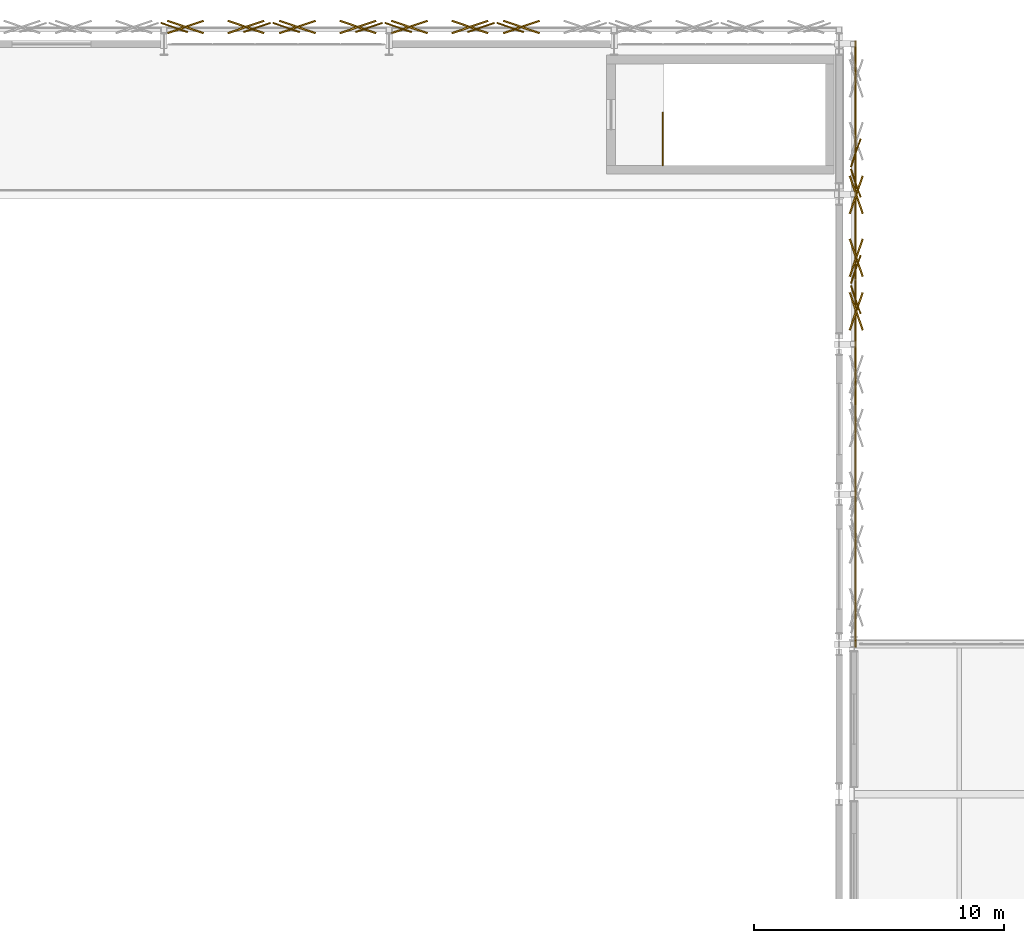
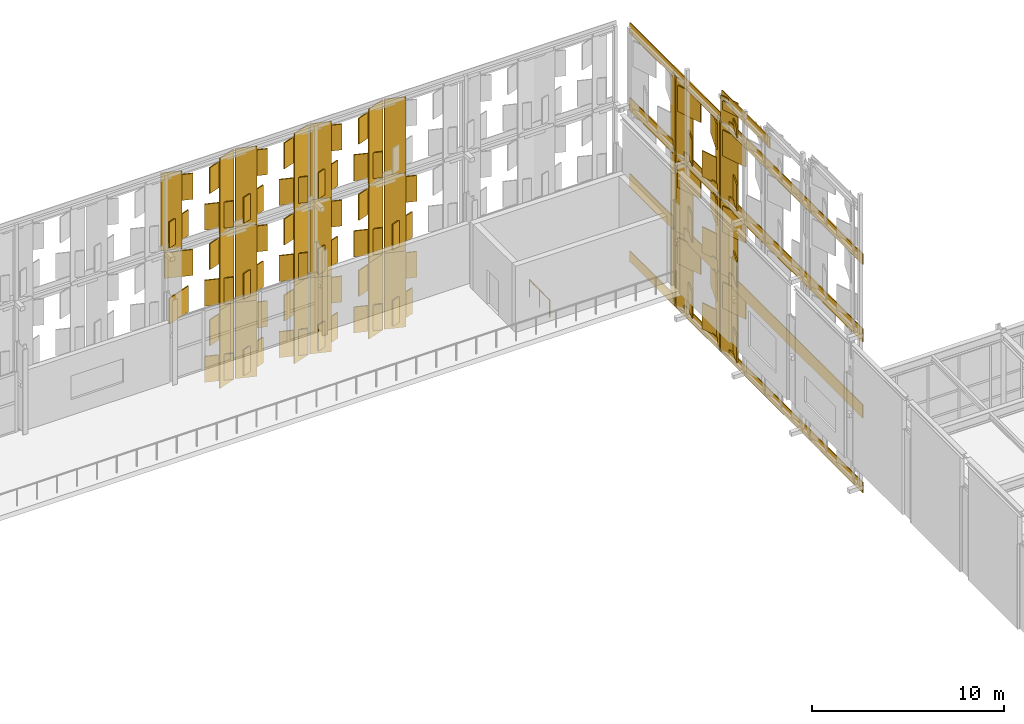
# One storey, part 202 of 210: 95 coverings, 1 railing.
"""IFC4 building model written with IfcOpenShell, lengths in metres."""

from ifc_helpers import new_model, si_unit, direction, frame, origin, origin_2d, place, context, subcontext, project, spatial, rectangle, circle, extrude, material, layer, layer_set, type_object, element, save


model = new_model("IFC4")

# Units and contexts
model_context = context("Model", 3, precision=1e-05, world=origin(), true_north=direction((0.0, 1.0)))
body_context = subcontext(model_context, "Body", "Model", "MODEL_VIEW")
ifc_project = project(units=[si_unit("LENGTHUNIT", "METRE"), si_unit("AREAUNIT", "SQUARE_METRE"), si_unit("VOLUMEUNIT", "CUBIC_METRE"), si_unit("PLANEANGLEUNIT", "RADIAN"), si_unit("MASSUNIT", "GRAM", prefix="KILO")], contexts=[model_context])

# Site, building, storey
site_placement = place(None, origin())
site = spatial("IfcSite", under=ifc_project, at=site_placement, CompositionType="ELEMENT")
building_placement = place(site_placement, origin())
building = spatial("IfcBuilding", under=site, at=building_placement, Name="Kaldris Quays Convention Centre", CompositionType="ELEMENT")
storey_placement = place(building_placement, frame((0.0, 0.0, 6.0)))
storey = spatial("IfcBuildingStorey", under=building, at=storey_placement, Name="L01", CompositionType="ELEMENT", Elevation=6.0)

# Railing
ifc_material_1 = material(Name="Steel S355J2", Category="steel")
railing_type = type_object("IfcRailingType", Name="INTERIOR GUARDRAIL GR01", PredefinedType="GUARDRAIL", material=ifc_material_1)
railing_placement = place(storey_placement, frame((138.949951171875, 135.14990234375, 0.0)))
element("IfcRailing", 1, at=railing_placement, inside=storey, type_object=railing_type, Name="L01 ST04 Top Well Guardrail 1", PredefinedType="GUARDRAIL", context=body_context, shape_type="SweptSolid", body=[
    extrude(circle(Radius=0.02392578125, at=origin_2d()), frame((0.0, 0.0, 1.076171875), z_axis=(0.0, 1.0, 0.0), x_axis=(-1.0, 0.0, 0.0)), (0.0, 0.0, 1.0), 2.10009765625),
    extrude(circle(Radius=0.02099609375, at=origin_2d()), origin(), (0.0, 0.0, 1.0), 1.052001953125),
    extrude(circle(Radius=0.02099609375, at=origin_2d()), frame((0.0, 1.050048828125, 0.0)), (0.0, 0.0, 1.0), 1.052001953125),
    extrude(circle(Radius=0.02099609375, at=origin_2d()), frame((0.0, 2.10009765625, 0.0)), (0.0, 0.0, 1.0), 1.052001953125),
])

# Coverings
ifc_material_2 = material(Name="Alabaster white star-pierced anodized aluminium panel", Category="aluminium")
ifc_layer = layer(ifc_material_2, 0.044921875)
ifc_layer_set = layer_set([ifc_layer], Name="Alabaster white star-pierced anodized aluminium panel")
covering_type = type_object("IfcCoveringType", Name="STAR PIERCED WHITE FOLDED SCREEN CL01", PredefinedType="CLADDING", material=ifc_layer_set)
covering_1_placement = place(storey_placement, frame((122.724853515625, 140.659912109375, -1.91015625), z_axis=(0.0, 0.0, 1.0), x_axis=(0.945518575599, 0.325568154457, 0.0)))
element("IfcCovering", 2, at=covering_1_placement, inside=storey, type_object=covering_type, Name="V1N Folded White Screen Stile 968", PredefinedType="CLADDING", context=body_context, shape_type="SweptSolid", body=[
    extrude(rectangle(XDim=1.136962890625, YDim=0.054931640625, at=origin_2d()), origin(), (0.0, 0.0, 1.0), 4.952880859375),
])
for number, where, z_axis, x_axis, name in (
    (3, (122.277099609375, 140.679931640625, -1.559814453125), (0.0, 0.0, 1.0), (0.945518575599, -0.325568154457, 0.0), "V1N Carved Star Corner Facet 971"),
    (4, (122.277099609375, 140.679931640625, 1.0498046875), (0.0, 0.0, 1.0), (0.945518575599, 0.325568154457, 0.0), "V1N Carved Star Corner Facet 972"),
):
    element("IfcCovering", number, at=place(storey_placement, frame(where, z_axis=z_axis, x_axis=x_axis)), inside=storey, type_object=covering_type, Name=name, PredefinedType="CLADDING", context=body_context, shape_type="SweptSolid", body=[
        extrude(rectangle(XDim=1.52294921875, YDim=0.06494140625, at=origin_2d()), origin(), (0.0, 0.0, 1.0), 1.64306640625),
    ])
covering_2_placement = place(storey_placement, frame((122.724853515625, 140.659912109375, 2.9228515625), z_axis=(0.0, 0.0, 1.0), x_axis=(0.945518575599, 0.325568154457, 0.0)))
element("IfcCovering", 5, at=covering_2_placement, inside=storey, type_object=covering_type, Name="V1N Folded White Screen Stile 974", PredefinedType="CLADDING", context=body_context, shape_type="SweptSolid", body=[
    extrude(rectangle(XDim=1.136962890625, YDim=0.054931640625, at=origin_2d()), origin(), (0.0, 0.0, 1.0), 4.9541015625),
])
for number, where, z_axis, x_axis, name in (
    (6, (119.858642578125, 140.679931640625, 3.272705078125), (0.0, 0.0, 1.0), (0.945518575599, 0.325568154457, 0.0), "V1N Carved Star Corner Facet 975"),
    (7, (119.858642578125, 140.679931640625, 5.883056640625), (0.0, 0.0, 1.0), (0.945518575599, -0.325568154457, 0.0), "V1N Carved Star Corner Facet 976"),
    (8, (122.277099609375, 140.679931640625, 3.272705078125), (0.0, 0.0, 1.0), (0.945518575599, -0.325568154457, 0.0), "V1N Carved Star Corner Facet 977"),
    (9, (122.277099609375, 140.679931640625, 5.883056640625), (0.0, 0.0, 1.0), (0.945518575599, 0.325568154457, 0.0), "V1N Carved Star Corner Facet 978"),
):
    element("IfcCovering", number, at=place(storey_placement, frame(where, z_axis=z_axis, x_axis=x_axis)), inside=storey, type_object=covering_type, Name=name, PredefinedType="CLADDING", context=body_context, shape_type="SweptSolid", body=[
        extrude(rectangle(XDim=1.52294921875, YDim=0.06494140625, at=origin_2d()), origin(), (0.0, 0.0, 1.0), 1.64404296875),
    ])
for number, where, z_axis, x_axis, name in (
    (10, (119.410888671875, 140.659912109375, 7.7568359375), (0.0, 0.0, 1.0), (0.945518575599, -0.325568154457, 0.0), "V1N Folded White Screen Stile 979"),
    (11, (122.724853515625, 140.659912109375, 7.7568359375), (0.0, 0.0, 1.0), (0.945518575599, 0.325568154457, 0.0), "V1N Folded White Screen Stile 980"),
):
    element("IfcCovering", number, at=place(storey_placement, frame(where, z_axis=z_axis, x_axis=x_axis)), inside=storey, type_object=covering_type, Name=name, PredefinedType="CLADDING", context=body_context, shape_type="SweptSolid", body=[
        extrude(rectangle(XDim=1.136962890625, YDim=0.054931640625, at=origin_2d()), origin(), (0.0, 0.0, 1.0), 4.952880859375),
    ])
for number, where, z_axis, x_axis, name in (
    (12, (119.858642578125, 140.679931640625, 8.107177734375), (0.0, 0.0, 1.0), (0.945518575599, 0.325568154457, 0.0), "V1N Carved Star Corner Facet 981"),
    (13, (119.858642578125, 140.679931640625, 10.716796875), (0.0, 0.0, 1.0), (0.945518575599, -0.325568154457, 0.0), "V1N Carved Star Corner Facet 982"),
    (14, (122.277099609375, 140.679931640625, 8.107177734375), (0.0, 0.0, 1.0), (0.945518575599, -0.325568154457, 0.0), "V1N Carved Star Corner Facet 983"),
    (15, (122.277099609375, 140.679931640625, 10.716796875), (0.0, 0.0, 1.0), (0.945518575599, 0.325568154457, 0.0), "V1N Carved Star Corner Facet 984"),
):
    element("IfcCovering", number, at=place(storey_placement, frame(where, z_axis=z_axis, x_axis=x_axis)), inside=storey, type_object=covering_type, Name=name, PredefinedType="CLADDING", context=body_context, shape_type="SweptSolid", body=[
        extrude(rectangle(XDim=1.52294921875, YDim=0.06494140625, at=origin_2d()), origin(), (0.0, 0.0, 1.0), 1.64306640625),
    ])
for number, where, z_axis, x_axis, name in (
    (16, (123.889404296875, 140.659912109375, -1.91015625), (0.0, 0.0, 1.0), (0.945518575599, -0.325568154457, 0.0), "V1N Folded White Screen Stile 985"),
    (17, (127.20361328125, 140.659912109375, -1.91015625), (0.0, 0.0, 1.0), (0.945518575599, 0.325568154457, 0.0), "V1N Folded White Screen Stile 986"),
):
    element("IfcCovering", number, at=place(storey_placement, frame(where, z_axis=z_axis, x_axis=x_axis)), inside=storey, type_object=covering_type, Name=name, PredefinedType="CLADDING", context=body_context, shape_type="SweptSolid", body=[
        extrude(rectangle(XDim=1.136962890625, YDim=0.054931640625, at=origin_2d()), origin(), (0.0, 0.0, 1.0), 4.952880859375),
    ])
for number, where, z_axis, x_axis, name in (
    (18, (124.337158203125, 140.679931640625, -1.559814453125), (0.0, 0.0, 1.0), (0.945518575599, 0.325568154457, 0.0), "V1N Carved Star Corner Facet 987"),
    (19, (124.337158203125, 140.679931640625, 1.0498046875), (0.0, 0.0, 1.0), (0.945518575599, -0.325568154457, 0.0), "V1N Carved Star Corner Facet 988"),
    (20, (126.755615234375, 140.679931640625, -1.559814453125), (0.0, 0.0, 1.0), (0.945518575599, -0.325568154457, 0.0), "V1N Carved Star Corner Facet 989"),
    (21, (126.755615234375, 140.679931640625, 1.0498046875), (0.0, 0.0, 1.0), (0.945518575599, 0.325568154457, 0.0), "V1N Carved Star Corner Facet 990"),
):
    element("IfcCovering", number, at=place(storey_placement, frame(where, z_axis=z_axis, x_axis=x_axis)), inside=storey, type_object=covering_type, Name=name, PredefinedType="CLADDING", context=body_context, shape_type="SweptSolid", body=[
        extrude(rectangle(XDim=1.52294921875, YDim=0.06494140625, at=origin_2d()), origin(), (0.0, 0.0, 1.0), 1.64306640625),
    ])
for number, where, z_axis, x_axis, name in (
    (22, (123.889404296875, 140.659912109375, 2.9228515625), (0.0, 0.0, 1.0), (0.945518575599, -0.325568154457, 0.0), "V1N Folded White Screen Stile 991"),
    (23, (127.20361328125, 140.659912109375, 2.9228515625), (0.0, 0.0, 1.0), (0.945518575599, 0.325568154457, 0.0), "V1N Folded White Screen Stile 992"),
):
    element("IfcCovering", number, at=place(storey_placement, frame(where, z_axis=z_axis, x_axis=x_axis)), inside=storey, type_object=covering_type, Name=name, PredefinedType="CLADDING", context=body_context, shape_type="SweptSolid", body=[
        extrude(rectangle(XDim=1.136962890625, YDim=0.054931640625, at=origin_2d()), origin(), (0.0, 0.0, 1.0), 4.9541015625),
    ])
for number, where, z_axis, x_axis, name in (
    (24, (124.337158203125, 140.679931640625, 3.272705078125), (0.0, 0.0, 1.0), (0.945518575599, 0.325568154457, 0.0), "V1N Carved Star Corner Facet 993"),
    (25, (124.337158203125, 140.679931640625, 5.883056640625), (0.0, 0.0, 1.0), (0.945518575599, -0.325568154457, 0.0), "V1N Carved Star Corner Facet 994"),
    (26, (126.755615234375, 140.679931640625, 3.272705078125), (0.0, 0.0, 1.0), (0.945518575599, -0.325568154457, 0.0), "V1N Carved Star Corner Facet 995"),
    (27, (126.755615234375, 140.679931640625, 5.883056640625), (0.0, 0.0, 1.0), (0.945518575599, 0.325568154457, 0.0), "V1N Carved Star Corner Facet 996"),
):
    element("IfcCovering", number, at=place(storey_placement, frame(where, z_axis=z_axis, x_axis=x_axis)), inside=storey, type_object=covering_type, Name=name, PredefinedType="CLADDING", context=body_context, shape_type="SweptSolid", body=[
        extrude(rectangle(XDim=1.52294921875, YDim=0.06494140625, at=origin_2d()), origin(), (0.0, 0.0, 1.0), 1.64404296875),
    ])
for number, where, z_axis, x_axis, name in (
    (28, (123.889404296875, 140.659912109375, 7.7568359375), (0.0, 0.0, 1.0), (0.945518575599, -0.325568154457, 0.0), "V1N Folded White Screen Stile 997"),
    (29, (127.20361328125, 140.659912109375, 7.7568359375), (0.0, 0.0, 1.0), (0.945518575599, 0.325568154457, 0.0), "V1N Folded White Screen Stile 998"),
):
    element("IfcCovering", number, at=place(storey_placement, frame(where, z_axis=z_axis, x_axis=x_axis)), inside=storey, type_object=covering_type, Name=name, PredefinedType="CLADDING", context=body_context, shape_type="SweptSolid", body=[
        extrude(rectangle(XDim=1.136962890625, YDim=0.054931640625, at=origin_2d()), origin(), (0.0, 0.0, 1.0), 4.952880859375),
    ])
for number, where, z_axis, x_axis, name in (
    (30, (124.337158203125, 140.679931640625, 8.107177734375), (0.0, 0.0, 1.0), (0.945518575599, 0.325568154457, 0.0), "V1N Carved Star Corner Facet 999"),
    (31, (124.337158203125, 140.679931640625, 10.716796875), (0.0, 0.0, 1.0), (0.945518575599, -0.325568154457, 0.0), "V1N Carved Star Corner Facet 1000"),
    (32, (126.755615234375, 140.679931640625, 8.107177734375), (0.0, 0.0, 1.0), (0.945518575599, -0.325568154457, 0.0), "V1N Carved Star Corner Facet 1001"),
    (33, (126.755615234375, 140.679931640625, 10.716796875), (0.0, 0.0, 1.0), (0.945518575599, 0.325568154457, 0.0), "V1N Carved Star Corner Facet 1002"),
):
    element("IfcCovering", number, at=place(storey_placement, frame(where, z_axis=z_axis, x_axis=x_axis)), inside=storey, type_object=covering_type, Name=name, PredefinedType="CLADDING", context=body_context, shape_type="SweptSolid", body=[
        extrude(rectangle(XDim=1.52294921875, YDim=0.06494140625, at=origin_2d()), origin(), (0.0, 0.0, 1.0), 1.64306640625),
    ])
for number, where, z_axis, x_axis, name in (
    (34, (128.367919921875, 140.659912109375, -1.91015625), (0.0, 0.0, 1.0), (0.945518575599, -0.325568154457, 0.0), "V1N Folded White Screen Stile 1003"),
    (35, (131.68212890625, 140.659912109375, -1.91015625), (0.0, 0.0, 1.0), (0.945518575599, 0.325568154457, 0.0), "V1N Folded White Screen Stile 1004"),
):
    element("IfcCovering", number, at=place(storey_placement, frame(where, z_axis=z_axis, x_axis=x_axis)), inside=storey, type_object=covering_type, Name=name, PredefinedType="CLADDING", context=body_context, shape_type="SweptSolid", body=[
        extrude(rectangle(XDim=1.136962890625, YDim=0.054931640625, at=origin_2d()), origin(), (0.0, 0.0, 1.0), 4.952880859375),
    ])
for number, where, z_axis, x_axis, name in (
    (36, (128.81591796875, 140.679931640625, -1.559814453125), (0.0, 0.0, 1.0), (0.945518575599, 0.325568154457, 0.0), "V1N Carved Star Corner Facet 1005"),
    (37, (128.81591796875, 140.679931640625, 1.0498046875), (0.0, 0.0, 1.0), (0.945518575599, -0.325568154457, 0.0), "V1N Carved Star Corner Facet 1006"),
    (38, (131.234130859375, 140.679931640625, -1.559814453125), (0.0, 0.0, 1.0), (0.945518575599, -0.325568154457, 0.0), "V1N Carved Star Corner Facet 1007"),
    (39, (131.234130859375, 140.679931640625, 1.0498046875), (0.0, 0.0, 1.0), (0.945518575599, 0.325568154457, 0.0), "V1N Carved Star Corner Facet 1008"),
):
    element("IfcCovering", number, at=place(storey_placement, frame(where, z_axis=z_axis, x_axis=x_axis)), inside=storey, type_object=covering_type, Name=name, PredefinedType="CLADDING", context=body_context, shape_type="SweptSolid", body=[
        extrude(rectangle(XDim=1.52294921875, YDim=0.06494140625, at=origin_2d()), origin(), (0.0, 0.0, 1.0), 1.64306640625),
    ])
for number, where, z_axis, x_axis, name in (
    (40, (128.367919921875, 140.659912109375, 2.9228515625), (0.0, 0.0, 1.0), (0.945518575599, -0.325568154457, 0.0), "V1N Folded White Screen Stile 1009"),
    (41, (131.68212890625, 140.659912109375, 2.9228515625), (0.0, 0.0, 1.0), (0.945518575599, 0.325568154457, 0.0), "V1N Folded White Screen Stile 1010"),
):
    element("IfcCovering", number, at=place(storey_placement, frame(where, z_axis=z_axis, x_axis=x_axis)), inside=storey, type_object=covering_type, Name=name, PredefinedType="CLADDING", context=body_context, shape_type="SweptSolid", body=[
        extrude(rectangle(XDim=1.136962890625, YDim=0.054931640625, at=origin_2d()), origin(), (0.0, 0.0, 1.0), 4.9541015625),
    ])
for number, where, z_axis, x_axis, name in (
    (42, (128.81591796875, 140.679931640625, 3.272705078125), (0.0, 0.0, 1.0), (0.945518575599, 0.325568154457, 0.0), "V1N Carved Star Corner Facet 1011"),
    (43, (128.81591796875, 140.679931640625, 5.883056640625), (0.0, 0.0, 1.0), (0.945518575599, -0.325568154457, 0.0), "V1N Carved Star Corner Facet 1012"),
    (44, (131.234130859375, 140.679931640625, 3.272705078125), (0.0, 0.0, 1.0), (0.945518575599, -0.325568154457, 0.0), "V1N Carved Star Corner Facet 1013"),
    (45, (131.234130859375, 140.679931640625, 5.883056640625), (0.0, 0.0, 1.0), (0.945518575599, 0.325568154457, 0.0), "V1N Carved Star Corner Facet 1014"),
):
    element("IfcCovering", number, at=place(storey_placement, frame(where, z_axis=z_axis, x_axis=x_axis)), inside=storey, type_object=covering_type, Name=name, PredefinedType="CLADDING", context=body_context, shape_type="SweptSolid", body=[
        extrude(rectangle(XDim=1.52294921875, YDim=0.06494140625, at=origin_2d()), origin(), (0.0, 0.0, 1.0), 1.64404296875),
    ])
for number, where, z_axis, x_axis, name in (
    (46, (128.367919921875, 140.659912109375, 7.7568359375), (0.0, 0.0, 1.0), (0.945518575599, -0.325568154457, 0.0), "V1N Folded White Screen Stile 1015"),
    (47, (131.68212890625, 140.659912109375, 7.7568359375), (0.0, 0.0, 1.0), (0.945518575599, 0.325568154457, 0.0), "V1N Folded White Screen Stile 1016"),
):
    element("IfcCovering", number, at=place(storey_placement, frame(where, z_axis=z_axis, x_axis=x_axis)), inside=storey, type_object=covering_type, Name=name, PredefinedType="CLADDING", context=body_context, shape_type="SweptSolid", body=[
        extrude(rectangle(XDim=1.136962890625, YDim=0.054931640625, at=origin_2d()), origin(), (0.0, 0.0, 1.0), 4.952880859375),
    ])
for number, where, z_axis, x_axis, name in (
    (48, (128.81591796875, 140.679931640625, 8.107177734375), (0.0, 0.0, 1.0), (0.945518575599, 0.325568154457, 0.0), "V1N Carved Star Corner Facet 1017"),
    (49, (128.81591796875, 140.679931640625, 10.716796875), (0.0, 0.0, 1.0), (0.945518575599, -0.325568154457, 0.0), "V1N Carved Star Corner Facet 1018"),
    (50, (131.234130859375, 140.679931640625, 8.107177734375), (0.0, 0.0, 1.0), (0.945518575599, -0.325568154457, 0.0), "V1N Carved Star Corner Facet 1019"),
    (51, (131.234130859375, 140.679931640625, 10.716796875), (0.0, 0.0, 1.0), (0.945518575599, 0.325568154457, 0.0), "V1N Carved Star Corner Facet 1020"),
):
    element("IfcCovering", number, at=place(storey_placement, frame(where, z_axis=z_axis, x_axis=x_axis)), inside=storey, type_object=covering_type, Name=name, PredefinedType="CLADDING", context=body_context, shape_type="SweptSolid", body=[
        extrude(rectangle(XDim=1.52294921875, YDim=0.06494140625, at=origin_2d()), origin(), (0.0, 0.0, 1.0), 1.64306640625),
    ])
covering_3_placement = place(storey_placement, frame((132.846435546875, 140.659912109375, -1.91015625), z_axis=(0.0, 0.0, 1.0), x_axis=(0.945518575599, -0.325568154457, 0.0)))
element("IfcCovering", 52, at=covering_3_placement, inside=storey, type_object=covering_type, Name="V1N Folded White Screen Stile 1021", PredefinedType="CLADDING", context=body_context, shape_type="SweptSolid", body=[
    extrude(rectangle(XDim=1.136962890625, YDim=0.054931640625, at=origin_2d()), origin(), (0.0, 0.0, 1.0), 4.952880859375),
])
for number, where, z_axis, x_axis, name in (
    (53, (133.29443359375, 140.679931640625, -1.559814453125), (0.0, 0.0, 1.0), (0.945518575599, 0.325568154457, 0.0), "V1N Carved Star Corner Facet 1023"),
    (54, (133.29443359375, 140.679931640625, 1.0498046875), (0.0, 0.0, 1.0), (0.945518575599, -0.325568154457, 0.0), "V1N Carved Star Corner Facet 1024"),
):
    element("IfcCovering", number, at=place(storey_placement, frame(where, z_axis=z_axis, x_axis=x_axis)), inside=storey, type_object=covering_type, Name=name, PredefinedType="CLADDING", context=body_context, shape_type="SweptSolid", body=[
        extrude(rectangle(XDim=1.52294921875, YDim=0.06494140625, at=origin_2d()), origin(), (0.0, 0.0, 1.0), 1.64306640625),
    ])
covering_4_placement = place(storey_placement, frame((132.846435546875, 140.659912109375, 2.9228515625), z_axis=(0.0, 0.0, 1.0), x_axis=(0.945518575599, -0.325568154457, 0.0)))
element("IfcCovering", 55, at=covering_4_placement, inside=storey, type_object=covering_type, Name="V1N Folded White Screen Stile 1027", PredefinedType="CLADDING", context=body_context, shape_type="SweptSolid", body=[
    extrude(rectangle(XDim=1.136962890625, YDim=0.054931640625, at=origin_2d()), origin(), (0.0, 0.0, 1.0), 4.9541015625),
])
for number, where, z_axis, x_axis, name in (
    (56, (133.29443359375, 140.679931640625, 3.272705078125), (0.0, 0.0, 1.0), (0.945518575599, 0.325568154457, 0.0), "V1N Carved Star Corner Facet 1029"),
    (57, (133.29443359375, 140.679931640625, 5.883056640625), (0.0, 0.0, 1.0), (0.945518575599, -0.325568154457, 0.0), "V1N Carved Star Corner Facet 1030"),
):
    element("IfcCovering", number, at=place(storey_placement, frame(where, z_axis=z_axis, x_axis=x_axis)), inside=storey, type_object=covering_type, Name=name, PredefinedType="CLADDING", context=body_context, shape_type="SweptSolid", body=[
        extrude(rectangle(XDim=1.52294921875, YDim=0.06494140625, at=origin_2d()), origin(), (0.0, 0.0, 1.0), 1.64404296875),
    ])
covering_5_placement = place(storey_placement, frame((132.846435546875, 140.659912109375, 7.7568359375), z_axis=(0.0, 0.0, 1.0), x_axis=(0.945518575599, -0.325568154457, 0.0)))
element("IfcCovering", 58, at=covering_5_placement, inside=storey, type_object=covering_type, Name="V1N Folded White Screen Stile 1033", PredefinedType="CLADDING", context=body_context, shape_type="SweptSolid", body=[
    extrude(rectangle(XDim=1.136962890625, YDim=0.054931640625, at=origin_2d()), origin(), (0.0, 0.0, 1.0), 4.952880859375),
])
covering_6_placement = place(storey_placement, frame((146.64990234375, 128.0, -2.18994140625), z_axis=(0.0, 0.0, 1.0), x_axis=(0.0, 1.0, 0.0)))
element("IfcCovering", 59, at=covering_6_placement, inside=storey, type_object=covering_type, Name="V1E White Screen Folded Band 1752", PredefinedType="CLADDING", context=body_context, shape_type="SweptSolid", body=[
    extrude(rectangle(XDim=24.239990234375, YDim=0.054931640625, at=origin_2d()), origin(), (0.0, 0.0, 1.0), 0.679931640625),
])
for number, where, z_axis, x_axis, name in (
    (60, (146.64990234375, 128.0, 2.56298828125), (0.0, 0.0, 1.0), (0.0, 1.0, 0.0), "V1E White Screen Folded Band 1753"),
    (61, (146.64990234375, 128.0, 7.39697265625), (0.0, 0.0, 1.0), (0.0, 1.0, 0.0), "V1E White Screen Folded Band 1754"),
):
    element("IfcCovering", number, at=place(storey_placement, frame(where, z_axis=z_axis, x_axis=x_axis)), inside=storey, type_object=covering_type, Name=name, PredefinedType="CLADDING", context=body_context, shape_type="SweptSolid", body=[
        extrude(rectangle(XDim=24.239990234375, YDim=0.054931640625, at=origin_2d()), origin(), (0.0, 0.0, 1.0), 0.840087890625),
    ])
covering_7_placement = place(storey_placement, frame((146.64990234375, 128.0, 12.31005859375), z_axis=(0.0, 0.0, 1.0), x_axis=(0.0, 1.0, 0.0)))
element("IfcCovering", 62, at=covering_7_placement, inside=storey, type_object=covering_type, Name="V1E White Screen Folded Band 1755", PredefinedType="CLADDING", context=body_context, shape_type="SweptSolid", body=[
    extrude(rectangle(XDim=24.239990234375, YDim=0.054931640625, at=origin_2d()), origin(), (0.0, 0.0, 1.0), 0.679931640625),
])
covering_8_placement = place(storey_placement, frame((146.64990234375, 128.050048828125, 13.8408203125), z_axis=(0.0, 0.0, 1.0), x_axis=(0.0, 1.0, 0.0)))
element("IfcCovering", 63, at=covering_8_placement, inside=storey, type_object=covering_type, Name="V1E Gable White Screen Cap Band 1806", PredefinedType="CLADDING", context=body_context, shape_type="SweptSolid", body=[
    extrude(rectangle(XDim=4.9599609375, YDim=0.054931640625, at=origin_2d()), origin(), (0.0, 0.0, 1.0), 0.679931640625),
])
covering_9_placement = place(storey_placement, frame((146.659912109375, 129.774169921875, -1.91015625), z_axis=(0.0, 0.0, 1.0), x_axis=(-0.325568154457, 0.945518575599, 0.0)))
element("IfcCovering", 64, at=covering_9_placement, inside=storey, type_object=covering_type, Name="V1E Folded White Screen Stile 1808", PredefinedType="CLADDING", context=body_context, shape_type="SweptSolid", body=[
    extrude(rectangle(XDim=1.18310546875, YDim=0.054931640625, at=origin_2d()), origin(), (0.0, 0.0, 1.0), 4.952880859375),
])
for number, where, z_axis, x_axis, name in (
    (65, (146.679931640625, 129.30810546875, -1.559814453125), (0.0, 0.0, 1.0), (0.325568154457, 0.945518575599, 0.0), "V1E Carved Star Corner Facet 1811"),
    (66, (146.679931640625, 129.30810546875, 1.0498046875), (0.0, 0.0, 1.0), (-0.325568154457, 0.945518575599, 0.0), "V1E Carved Star Corner Facet 1812"),
):
    element("IfcCovering", number, at=place(storey_placement, frame(where, z_axis=z_axis, x_axis=x_axis)), inside=storey, type_object=covering_type, Name=name, PredefinedType="CLADDING", context=body_context, shape_type="SweptSolid", body=[
        extrude(rectangle(XDim=1.583984375, YDim=0.06494140625, at=origin_2d()), origin(), (0.0, 0.0, 1.0), 1.64306640625),
    ])
covering_10_placement = place(storey_placement, frame((146.659912109375, 129.774169921875, 2.9228515625), z_axis=(0.0, 0.0, 1.0), x_axis=(-0.325568154457, 0.945518575599, 0.0)))
element("IfcCovering", 67, at=covering_10_placement, inside=storey, type_object=covering_type, Name="V1E Folded White Screen Stile 1814", PredefinedType="CLADDING", context=body_context, shape_type="SweptSolid", body=[
    extrude(rectangle(XDim=1.18310546875, YDim=0.054931640625, at=origin_2d()), origin(), (0.0, 0.0, 1.0), 4.9541015625),
])
for number, where, z_axis, x_axis, name in (
    (68, (146.679931640625, 129.30810546875, 3.272705078125), (0.0, 0.0, 1.0), (0.325568154457, 0.945518575599, 0.0), "V1E Carved Star Corner Facet 1817"),
    (69, (146.679931640625, 129.30810546875, 5.883056640625), (0.0, 0.0, 1.0), (-0.325568154457, 0.945518575599, 0.0), "V1E Carved Star Corner Facet 1818"),
):
    element("IfcCovering", number, at=place(storey_placement, frame(where, z_axis=z_axis, x_axis=x_axis)), inside=storey, type_object=covering_type, Name=name, PredefinedType="CLADDING", context=body_context, shape_type="SweptSolid", body=[
        extrude(rectangle(XDim=1.583984375, YDim=0.06494140625, at=origin_2d()), origin(), (0.0, 0.0, 1.0), 1.64404296875),
    ])
covering_11_placement = place(storey_placement, frame((146.659912109375, 129.774169921875, 7.7568359375), z_axis=(0.0, 0.0, 1.0), x_axis=(-0.325568154457, 0.945518575599, 0.0)))
element("IfcCovering", 70, at=covering_11_placement, inside=storey, type_object=covering_type, Name="V1E Folded White Screen Stile 1820", PredefinedType="CLADDING", context=body_context, shape_type="SweptSolid", body=[
    extrude(rectangle(XDim=1.18310546875, YDim=0.054931640625, at=origin_2d()), origin(), (0.0, 0.0, 1.0), 4.952880859375),
])
for number, where, z_axis, x_axis, name in (
    (71, (146.679931640625, 129.30810546875, 8.107177734375), (0.0, 0.0, 1.0), (0.325568154457, 0.945518575599, 0.0), "V1E Carved Star Corner Facet 1823"),
    (72, (146.679931640625, 129.30810546875, 10.716796875), (0.0, 0.0, 1.0), (-0.325568154457, 0.945518575599, 0.0), "V1E Carved Star Corner Facet 1824"),
):
    element("IfcCovering", number, at=place(storey_placement, frame(where, z_axis=z_axis, x_axis=x_axis)), inside=storey, type_object=covering_type, Name=name, PredefinedType="CLADDING", context=body_context, shape_type="SweptSolid", body=[
        extrude(rectangle(XDim=1.583984375, YDim=0.06494140625, at=origin_2d()), origin(), (0.0, 0.0, 1.0), 1.64306640625),
    ])
covering_12_placement = place(storey_placement, frame((146.659912109375, 129.774169921875, 12.58984375), z_axis=(0.0, 0.0, 1.0), x_axis=(-0.325568154457, 0.945518575599, 0.0)))
element("IfcCovering", 73, at=covering_12_placement, inside=storey, type_object=covering_type, Name="V1E Folded White Screen Stile 1826", PredefinedType="CLADDING", context=body_context, shape_type="SweptSolid", body=[
    extrude(rectangle(XDim=1.18310546875, YDim=0.054931640625, at=origin_2d()), origin(), (0.0, 0.0, 1.0), 1.801025390625),
])
for number, where, z_axis, x_axis, name in (
    (74, (146.679931640625, 129.30810546875, 12.75048828125), (0.0, 0.0, 1.0), (0.325568154457, 0.945518575599, 0.0), "V1E Carved Star Corner Facet 1829"),
    (75, (146.679931640625, 129.30810546875, 13.658203125), (0.0, 0.0, 1.0), (-0.325568154457, 0.945518575599, 0.0), "V1E Carved Star Corner Facet 1830"),
):
    element("IfcCovering", number, at=place(storey_placement, frame(where, z_axis=z_axis, x_axis=x_axis)), inside=storey, type_object=covering_type, Name=name, PredefinedType="CLADDING", context=body_context, shape_type="SweptSolid", body=[
        extrude(rectangle(XDim=1.583984375, YDim=0.06494140625, at=origin_2d()), origin(), (0.0, 0.0, 1.0), 0.572021484375),
    ])
for number, where, z_axis, x_axis, name in (
    (76, (146.659912109375, 130.98583984375, -1.91015625), (0.0, 0.0, 1.0), (0.325568154457, 0.945518575599, 0.0), "V1E Folded White Screen Stile 1831"),
    (77, (146.659912109375, 134.43408203125, -1.91015625), (0.0, 0.0, 1.0), (-0.325568154457, 0.945518575599, 0.0), "V1E Folded White Screen Stile 1832"),
):
    element("IfcCovering", number, at=place(storey_placement, frame(where, z_axis=z_axis, x_axis=x_axis)), inside=storey, type_object=covering_type, Name=name, PredefinedType="CLADDING", context=body_context, shape_type="SweptSolid", body=[
        extrude(rectangle(XDim=1.18310546875, YDim=0.054931640625, at=origin_2d()), origin(), (0.0, 0.0, 1.0), 4.952880859375),
    ])
for number, where, z_axis, x_axis, name in (
    (78, (146.679931640625, 131.451904296875, -1.559814453125), (0.0, 0.0, 1.0), (-0.325568154457, 0.945518575599, 0.0), "V1E Carved Star Corner Facet 1833"),
    (79, (146.679931640625, 131.451904296875, 1.0498046875), (0.0, 0.0, 1.0), (0.325568154457, 0.945518575599, 0.0), "V1E Carved Star Corner Facet 1834"),
    (80, (146.679931640625, 133.96826171875, -1.559814453125), (0.0, 0.0, 1.0), (0.325568154457, 0.945518575599, 0.0), "V1E Carved Star Corner Facet 1835"),
    (81, (146.679931640625, 133.96826171875, 1.0498046875), (0.0, 0.0, 1.0), (-0.325568154457, 0.945518575599, 0.0), "V1E Carved Star Corner Facet 1836"),
):
    element("IfcCovering", number, at=place(storey_placement, frame(where, z_axis=z_axis, x_axis=x_axis)), inside=storey, type_object=covering_type, Name=name, PredefinedType="CLADDING", context=body_context, shape_type="SweptSolid", body=[
        extrude(rectangle(XDim=1.583984375, YDim=0.06494140625, at=origin_2d()), origin(), (0.0, 0.0, 1.0), 1.64306640625),
    ])
for number, where, z_axis, x_axis, name in (
    (82, (146.659912109375, 130.98583984375, 2.9228515625), (0.0, 0.0, 1.0), (0.325568154457, 0.945518575599, 0.0), "V1E Folded White Screen Stile 1837"),
    (83, (146.659912109375, 134.43408203125, 2.9228515625), (0.0, 0.0, 1.0), (-0.325568154457, 0.945518575599, 0.0), "V1E Folded White Screen Stile 1838"),
):
    element("IfcCovering", number, at=place(storey_placement, frame(where, z_axis=z_axis, x_axis=x_axis)), inside=storey, type_object=covering_type, Name=name, PredefinedType="CLADDING", context=body_context, shape_type="SweptSolid", body=[
        extrude(rectangle(XDim=1.18310546875, YDim=0.054931640625, at=origin_2d()), origin(), (0.0, 0.0, 1.0), 4.9541015625),
    ])
for number, where, z_axis, x_axis, name in (
    (84, (146.679931640625, 131.451904296875, 3.272705078125), (0.0, 0.0, 1.0), (-0.325568154457, 0.945518575599, 0.0), "V1E Carved Star Corner Facet 1839"),
    (85, (146.679931640625, 131.451904296875, 5.883056640625), (0.0, 0.0, 1.0), (0.325568154457, 0.945518575599, 0.0), "V1E Carved Star Corner Facet 1840"),
    (86, (146.679931640625, 133.96826171875, 3.272705078125), (0.0, 0.0, 1.0), (0.325568154457, 0.945518575599, 0.0), "V1E Carved Star Corner Facet 1841"),
    (87, (146.679931640625, 133.96826171875, 5.883056640625), (0.0, 0.0, 1.0), (-0.325568154457, 0.945518575599, 0.0), "V1E Carved Star Corner Facet 1842"),
):
    element("IfcCovering", number, at=place(storey_placement, frame(where, z_axis=z_axis, x_axis=x_axis)), inside=storey, type_object=covering_type, Name=name, PredefinedType="CLADDING", context=body_context, shape_type="SweptSolid", body=[
        extrude(rectangle(XDim=1.583984375, YDim=0.06494140625, at=origin_2d()), origin(), (0.0, 0.0, 1.0), 1.64404296875),
    ])
for number, where, z_axis, x_axis, name in (
    (88, (146.659912109375, 130.98583984375, 7.7568359375), (0.0, 0.0, 1.0), (0.325568154457, 0.945518575599, 0.0), "V1E Folded White Screen Stile 1843"),
    (89, (146.659912109375, 134.43408203125, 7.7568359375), (0.0, 0.0, 1.0), (-0.325568154457, 0.945518575599, 0.0), "V1E Folded White Screen Stile 1844"),
):
    element("IfcCovering", number, at=place(storey_placement, frame(where, z_axis=z_axis, x_axis=x_axis)), inside=storey, type_object=covering_type, Name=name, PredefinedType="CLADDING", context=body_context, shape_type="SweptSolid", body=[
        extrude(rectangle(XDim=1.18310546875, YDim=0.054931640625, at=origin_2d()), origin(), (0.0, 0.0, 1.0), 4.952880859375),
    ])
for number, where, z_axis, x_axis, name in (
    (90, (146.679931640625, 131.451904296875, 8.107177734375), (0.0, 0.0, 1.0), (-0.325568154457, 0.945518575599, 0.0), "V1E Carved Star Corner Facet 1845"),
    (91, (146.679931640625, 131.451904296875, 10.716796875), (0.0, 0.0, 1.0), (0.325568154457, 0.945518575599, 0.0), "V1E Carved Star Corner Facet 1846"),
    (92, (146.679931640625, 133.96826171875, 8.107177734375), (0.0, 0.0, 1.0), (0.325568154457, 0.945518575599, 0.0), "V1E Carved Star Corner Facet 1847"),
    (93, (146.679931640625, 133.96826171875, 10.716796875), (0.0, 0.0, 1.0), (-0.325568154457, 0.945518575599, 0.0), "V1E Carved Star Corner Facet 1848"),
):
    element("IfcCovering", number, at=place(storey_placement, frame(where, z_axis=z_axis, x_axis=x_axis)), inside=storey, type_object=covering_type, Name=name, PredefinedType="CLADDING", context=body_context, shape_type="SweptSolid", body=[
        extrude(rectangle(XDim=1.583984375, YDim=0.06494140625, at=origin_2d()), origin(), (0.0, 0.0, 1.0), 1.64306640625),
    ])
covering_13_placement = place(storey_placement, frame((146.659912109375, 135.645751953125, -1.91015625), z_axis=(0.0, 0.0, 1.0), x_axis=(0.325568154457, 0.945518575599, 0.0)))
element("IfcCovering", 94, at=covering_13_placement, inside=storey, type_object=covering_type, Name="V1E Folded White Screen Stile 1849", PredefinedType="CLADDING", context=body_context, shape_type="SweptSolid", body=[
    extrude(rectangle(XDim=1.18310546875, YDim=0.054931640625, at=origin_2d()), origin(), (0.0, 0.0, 1.0), 4.952880859375),
])
covering_14_placement = place(storey_placement, frame((146.659912109375, 135.645751953125, 2.9228515625), z_axis=(0.0, 0.0, 1.0), x_axis=(0.325568154457, 0.945518575599, 0.0)))
element("IfcCovering", 95, at=covering_14_placement, inside=storey, type_object=covering_type, Name="V1E Folded White Screen Stile 1855", PredefinedType="CLADDING", context=body_context, shape_type="SweptSolid", body=[
    extrude(rectangle(XDim=1.18310546875, YDim=0.054931640625, at=origin_2d()), origin(), (0.0, 0.0, 1.0), 4.9541015625),
])
covering_15_placement = place(storey_placement, frame((146.659912109375, 135.645751953125, 7.7568359375), z_axis=(0.0, 0.0, 1.0), x_axis=(0.325568154457, 0.945518575599, 0.0)))
element("IfcCovering", 96, at=covering_15_placement, inside=storey, type_object=covering_type, Name="V1E Folded White Screen Stile 1861", PredefinedType="CLADDING", context=body_context, shape_type="SweptSolid", body=[
    extrude(rectangle(XDim=1.18310546875, YDim=0.054931640625, at=origin_2d()), origin(), (0.0, 0.0, 1.0), 4.952880859375),
])

save(model, "model.ifc")
